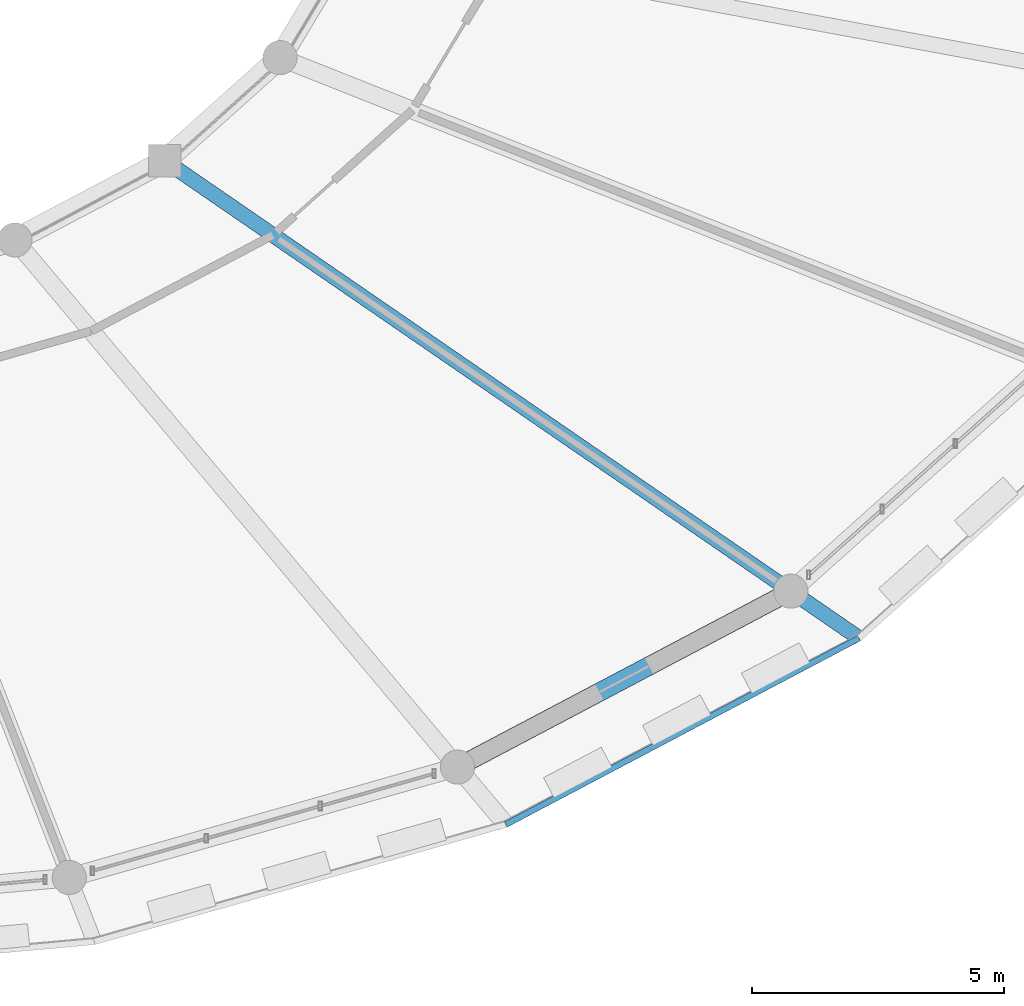
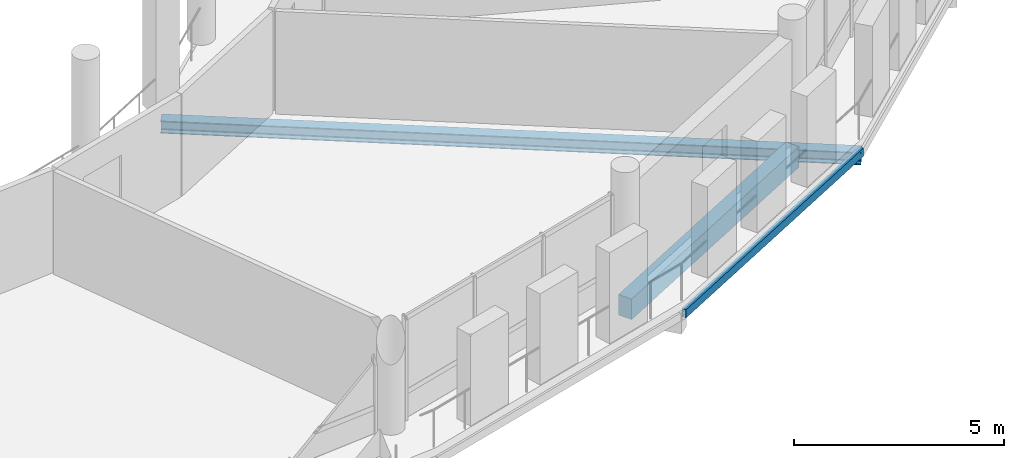
# One storey, part 51 of 128: 3 beams.
"""IFC4 building model written with IfcOpenShell, lengths in metres."""

from ifc_helpers import new_model, si_unit, direction, frame, origin, origin_2d, place, context, subcontext, project, spatial, rectangle, hollow_rectangle, i_section, extrude, material, material_profile, profile_set, type_object, element, save


model = new_model("IFC4")

# Units and contexts
model_context = context("Model", 3, precision=1e-05, world=origin(), true_north=direction((0.0, 1.0)))
body_context = subcontext(model_context, "Body", "Model", "MODEL_VIEW")
ifc_project = project(units=[si_unit("LENGTHUNIT", "METRE"), si_unit("AREAUNIT", "SQUARE_METRE"), si_unit("VOLUMEUNIT", "CUBIC_METRE"), si_unit("PLANEANGLEUNIT", "RADIAN"), si_unit("MASSUNIT", "GRAM", prefix="KILO")], contexts=[model_context])

# Site, building, storey
site_placement = place(None, origin())
site = spatial("IfcSite", under=ifc_project, at=site_placement, CompositionType="ELEMENT")
building_placement = place(site_placement, origin())
building = spatial("IfcBuilding", under=site, at=building_placement, Name="Zornivar Specialist Clinic", CompositionType="ELEMENT")
storey_placement = place(building_placement, frame((0.0, 0.0, 4.5)))
storey = spatial("IfcBuildingStorey", under=building, at=storey_placement, Name="L01", CompositionType="ELEMENT", Elevation=4.5)

# Beams
ifc_material_1 = material(Name="Concrete C30/37", Category="concrete")
ifc_material_profile_1 = material_profile(ifc_material_1, rectangle(XDim=0.3701171875, YDim=0.60009765625, at=origin_2d()), Name="RC 370x600")
ifc_profile_set_1 = profile_set([ifc_material_profile_1], Name="Concrete C30/37")
beam_type_1 = type_object("IfcBeamType", Name="BM-RC-SPANDREL-370x600", PredefinedType="SPANDREL", material=ifc_profile_set_1)
beam_1_placement = place(storey_placement, frame((109.60009765625, 38.547119140625, -0.5400390625), z_axis=(0.884425099405, 0.466682165443, 0.0), x_axis=(-0.466682165443, 0.884425099405, 0.0)))
element("IfcBeam", 1, at=beam_1_placement, inside=storey, type_object=beam_type_1, Name="bm:V1:L01:outring:20", PredefinedType="SPANDREL", context=body_context, shape_type="SweptSolid", body=[
    extrude(rectangle(XDim=0.3701171875, YDim=0.60009765625, at=origin_2d()), origin(), (0.0, 0.0, 1.0), 7.492919921875),
])
ifc_material_2 = material(Name="Steel S355J2", Category="steel")
ifc_material_profile_2 = material_profile(ifc_material_2, i_section(OverallWidth=0.300048828125, OverallDepth=0.360107421875, WebThickness=0.012451171875, FlangeThickness=0.0224609375, FilletRadius=0.027099609375, at=origin_2d()), Name="HEB 360")
ifc_profile_set_2 = profile_set([ifc_material_profile_2], Name="Steel S355J2")
beam_type_2 = type_object("IfcBeamType", Name="BM-STL-HEB360", PredefinedType="BEAM", material=ifc_profile_set_2)
beam_2_placement = place(storey_placement, frame((103.781982421875, 50.60009765625, -0.469970703125), z_axis=(0.82402959127, -0.566546761276, 0.0), x_axis=(0.566546761276, 0.82402959127, 0.0)))
element("IfcBeam", 2, at=beam_2_placement, inside=storey, type_object=beam_type_2, Name="bm:V1:L01:radmid:21", PredefinedType="BEAM", context=body_context, shape_type="SweptSolid", body=[
    extrude(i_section(OverallWidth=0.300048828125, OverallDepth=0.360107421875, WebThickness=0.012451171875, FlangeThickness=0.0224609375, FilletRadius=0.027099609375, at=origin_2d()), origin(), (0.0, 0.0, 1.0), 16.75048828125),
])
ifc_material_3 = material(Name="Steel S355J2", Category="steel")
ifc_material_profile_3 = material_profile(ifc_material_3, hollow_rectangle(XDim=0.1201171875, YDim=0.239990234375, WallThickness=0.008056640625, at=origin_2d()), Name="RHS 240x120x8")
ifc_profile_set_3 = profile_set([ifc_material_profile_3], Name="Steel S355J2")
beam_type_3 = type_object("IfcBeamType", Name="BM-STL-RHS240", PredefinedType="JOIST", material=ifc_profile_set_3)
beam_3_placement = place(storey_placement, frame((110.56005859375, 37.404052734375, -0.360107421875), z_axis=(0.88446439618, 0.466607685202, 0.0), x_axis=(-0.466607685202, 0.88446439618, 0.0)))
element("IfcBeam", 3, at=beam_3_placement, inside=storey, type_object=beam_type_3, Name="bm:V1:L01:balring:20", PredefinedType="JOIST", context=body_context, shape_type="SweptSolid", body=[
    extrude(hollow_rectangle(XDim=0.1201171875, YDim=0.239990234375, WallThickness=0.008056640625, at=origin_2d()), origin(), (0.0, 0.0, 1.0), 7.942626953125),
])

save(model, "model.ifc")
